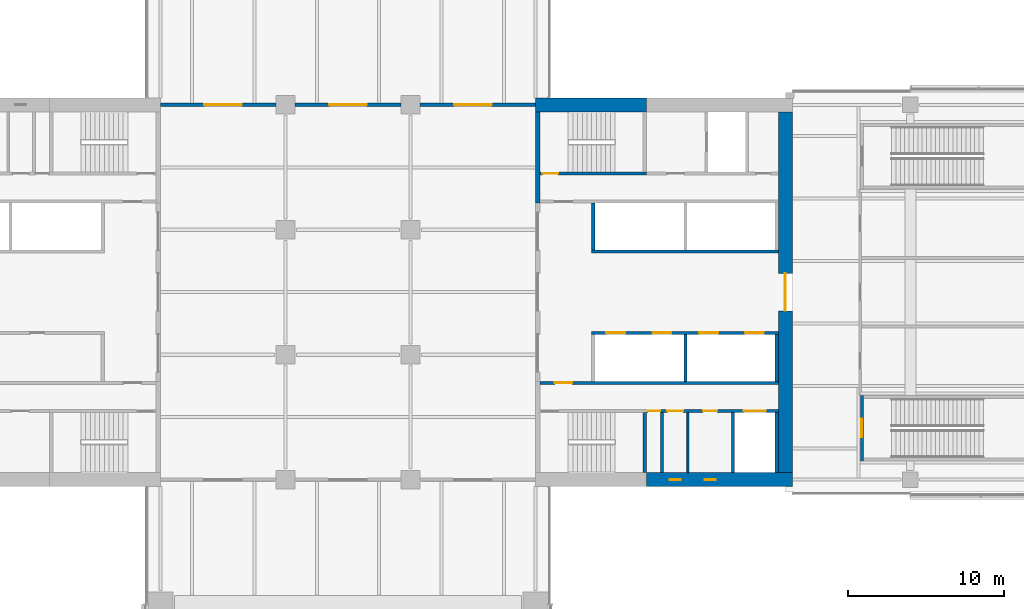
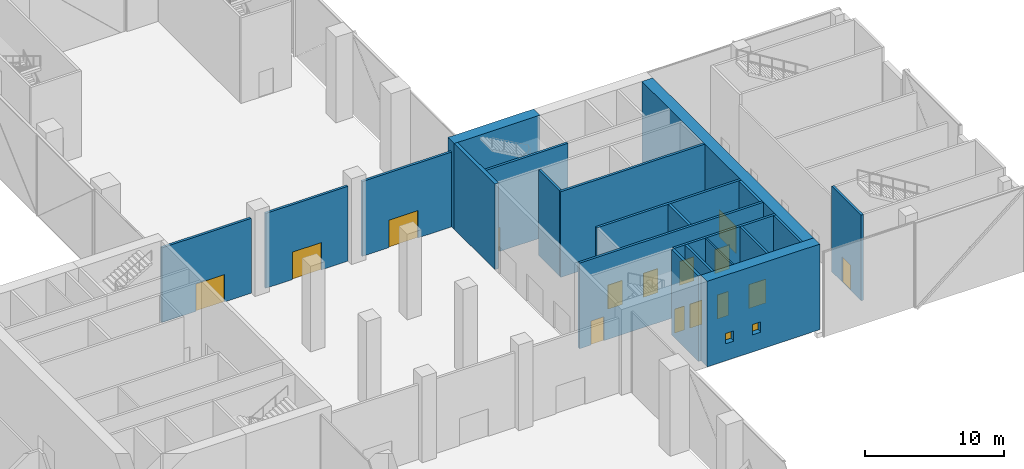
# One storey, part 16 of 25: 21 walls, 15 doors, 2 windows, 17 openings.
"""IFC4 building model written with IfcOpenShell, lengths in metres."""

from ifc_helpers import new_model, si_unit, direction, frame, frame_2d, origin, place, context, subcontext, project, spatial, rectangle, extrude, material, layer, layer_set, constituent, constituent_set, type_object, element, fill, save


model = new_model("IFC4")

# Units and contexts
model_context = context("Model", 3, precision=1e-05, world=origin(), true_north=direction((0.0, 1.0)))
body_context = subcontext(model_context, "Body", "Model", "MODEL_VIEW")
ifc_project = project(units=[si_unit("LENGTHUNIT", "METRE"), si_unit("AREAUNIT", "SQUARE_METRE"), si_unit("VOLUMEUNIT", "CUBIC_METRE"), si_unit("PLANEANGLEUNIT", "RADIAN"), si_unit("MASSUNIT", "GRAM", prefix="KILO")], contexts=[model_context])

# Site, building, storey
site_placement = place(None, origin())
site = spatial("IfcSite", under=ifc_project, at=site_placement, CompositionType="ELEMENT")
building_placement = place(site_placement, origin())
building = spatial("IfcBuilding", under=site, at=building_placement, Name="Crosswind Convention Tower", CompositionType="ELEMENT")
storey_placement = place(building_placement, frame((0.0, 0.0, 10.0)))
storey = spatial("IfcBuildingStorey", under=building, at=storey_placement, Name="L01", CompositionType="ELEMENT", Elevation=10.0)

# Wall
ifc_material_1 = material(Name="Concrete blockwork", Category="masonry")
ifc_layer_1 = layer(ifc_material_1, 0.199951171875)
ifc_layer_set_1 = layer_set([ifc_layer_1], Name="Blockwork partition wall 200")
wall_type_1 = type_object("IfcWallType", Name="Blockwork partition wall 200", PredefinedType="PARTITIONING", material=ifc_layer_set_1)
wall_1_placement = place(storey_placement, frame((145.10009765625, 88.449951171875, 0.0), z_axis=(0.0, 0.0, 1.0), x_axis=(0.0, 1.0, 0.0)))
element("IfcWall", 1, at=wall_1_placement, inside=storey, type_object=wall_type_1, Name="Wall MRSE E L01", PredefinedType="PARTITIONING", context=body_context, shape_type="SweptSolid", body=[
    extrude(rectangle(XDim=3.85009765625, YDim=0.199951171875, at=frame_2d((1.925048828125, 0.0))), origin(), (0.0, 0.0, 1.0), 7.5),
])

# Wall, opening, door
ifc_material_2 = material(Name="Concrete C60/75", Category="concrete")
ifc_layer_2 = layer(ifc_material_2, 0.89990234375)
ifc_layer_set_2 = layer_set([ifc_layer_2], Name="Concrete C60/75")
wall_type_2 = type_object("IfcWallType", Name="Concrete core wall 900", PredefinedType="SHEAR", material=ifc_layer_set_2)
wall_2_placement = place(storey_placement, frame((153.0, 88.449951171875, 0.0), z_axis=(0.0, 0.0, 1.0), x_axis=(0.0, 1.0, 0.0)))
wall_2 = element("IfcWall", 2, at=wall_2_placement, inside=storey, type_object=wall_type_2, Name="Wall O E L01", PredefinedType="SHEAR", context=body_context, shape_type="SweptSolid", body=[
    extrude(rectangle(XDim=23.10009765625, YDim=0.89990234375, at=frame_2d((11.550048828125, 0.0))), origin(), (0.0, 0.0, 1.0), 7.5),
])
opening_1_placement = place(wall_2_placement, frame((10.35009765625, 0.0, 0.0)))
opening_1 = element("IfcOpeningElement", 3, at=opening_1_placement, cuts=wall_2, Name="Opening D100", PredefinedType="OPENING", context=body_context, shape_type="SweptSolid", body=[
    extrude(rectangle(XDim=2.39990234375, YDim=2.39990234375, at=frame_2d((1.199951171875, 1.199951171875))), frame((0.0, 0.4599609375, 0.0), z_axis=(0.0, -1.0, 0.0), x_axis=(1.0, 0.0, 0.0)), (0.0, 0.0, 1.0), 0.919921875),
])
ifc_material_3 = material(Name="Steel fire door with glazed vision panels", Category="steel")
door_type_1 = type_object("IfcDoorType", Name="Fire-rated double door 2400x2400", OperationType="DOUBLE_DOOR_SINGLE_SWING", PredefinedType="DOOR", material=ifc_material_3)
door_1_placement = place(opening_1_placement, frame((2.39990234375, 0.0, 0.0), z_axis=(0.0, 0.0, 1.0), x_axis=(-1.0, 0.0, 0.0)))
door_1 = element("IfcDoor", 4, at=door_1_placement, inside=storey, type_object=door_type_1, Name="Lobby outer door L01", ObjectType="D100", OperationType="DOUBLE_DOOR_SINGLE_SWING", OverallHeight=2.39990234375, OverallWidth=2.39990234375, PredefinedType="DOOR", context=body_context, shape_type="SweptSolid", body=[
    extrude(rectangle(XDim=2.39990234375, YDim=2.39990234375, at=frame_2d((1.199951171875, 1.199951171875))), frame((0.0, 0.02490234375, 0.0), z_axis=(0.0, -1.0, 0.0), x_axis=(1.0, 0.0, 0.0)), (0.0, 0.0, 1.0), 0.050048828125),
])
fill(opening_1, door_1)

# Walls
ifc_material_4 = material(Name="Concrete C50/60", Category="concrete")
ifc_layer_3 = layer(ifc_material_4, 0.300048828125)
ifc_layer_set_3 = layer_set([ifc_layer_3], Name="Concrete C50/60")
wall_type_3 = type_object("IfcWallType", Name="Concrete inner core wall 300", PredefinedType="SHEAR", material=ifc_layer_set_3)
wall_3_placement = place(storey_placement, frame((137.14990234375, 105.699951171875, 0.0), z_axis=(0.0, 0.0, 1.0), x_axis=(0.0, 1.0, 0.0)))
element("IfcWall", 5, at=wall_3_placement, inside=storey, type_object=wall_type_3, Name="Wall EP E L01", PredefinedType="SHEAR", context=body_context, shape_type="SweptSolid", body=[
    extrude(rectangle(XDim=5.85009765625, YDim=0.300048828125, at=frame_2d((2.925048828125, 0.0))), origin(), (0.0, 0.0, 1.0), 7.5),
])
ifc_layer_4 = layer(ifc_material_4, 0.199951171875)
ifc_layer_set_4 = layer_set([ifc_layer_4], Name="Concrete C50/60")
wall_type_4 = type_object("IfcWallType", Name="Concrete shaft and stair wall 200", PredefinedType="SHEAR", material=ifc_layer_set_4)
wall_4_placement = place(storey_placement, frame((140.699951171875, 102.699951171875, 0.0), z_axis=(0.0, 0.0, 1.0), x_axis=(0.0, 1.0, 0.0)))
element("IfcWall", 6, at=wall_4_placement, inside=storey, type_object=wall_type_4, Name="Wall RPEND E L01", PredefinedType="SHEAR", context=body_context, shape_type="SweptSolid", body=[
    extrude(rectangle(XDim=3.0, YDim=0.199951171875, at=frame_2d((1.5, 0.0))), origin(), (0.0, 0.0, 1.0), 7.5),
])
wall_5_placement = place(storey_placement, frame((140.60009765625, 102.60009765625, 0.0), z_axis=(0.0, 0.0, 1.0), x_axis=(1.0, 0.0, 0.0)))
element("IfcWall", 7, at=wall_5_placement, inside=storey, type_object=wall_type_4, Name="Wall RPFRONT E L01", PredefinedType="SHEAR", context=body_context, shape_type="SweptSolid", body=[
    extrude(rectangle(XDim=11.949951171875, YDim=0.199951171875, at=frame_2d((5.97509765625, 0.0))), origin(), (0.0, 0.0, 1.0), 7.5),
])
for number, where, z_axis, x_axis, name in (
    (8, (146.60009765625, 94.300048828125, 0.0), (0.0, 0.0, 1.0), (0.0, 1.0, 0.0), "Wall RMSEP E L01"),
    (9, (152.449951171875, 94.300048828125, 0.0), (0.0, 0.0, 1.0), (0.0, 1.0, 0.0), "Wall RMEAST E L01"),
):
    element("IfcWall", number, at=place(storey_placement, frame(where, z_axis=z_axis, x_axis=x_axis)), inside=storey, type_object=wall_type_4, Name=name, PredefinedType="SHEAR", context=body_context, shape_type="SweptSolid", body=[
        extrude(rectangle(XDim=3.0, YDim=0.199951171875, at=frame_2d((1.5, 0.0))), origin(), (0.0, 0.0, 1.0), 7.5),
    ])

# Wall, openings, doors
wall_6_placement = place(storey_placement, frame((140.60009765625, 97.39990234375, 0.0), z_axis=(0.0, 0.0, 1.0), x_axis=(1.0, 0.0, 0.0)))
wall_6 = element("IfcWall", 10, at=wall_6_placement, inside=storey, type_object=wall_type_4, Name="Wall RMFRONT E L01", PredefinedType="SHEAR", context=body_context, shape_type="SweptSolid", body=[
    extrude(rectangle(XDim=11.949951171875, YDim=0.199951171875, at=frame_2d((5.97509765625, 0.0))), origin(), (0.0, 0.0, 1.0), 7.5),
])
opening_2_placement = place(wall_6_placement, frame((0.949951171875, 0.0, 0.0)))
opening_2 = element("IfcOpeningElement", 11, at=opening_2_placement, cuts=wall_6, Name="Opening LD1", PredefinedType="OPENING", context=body_context, shape_type="SweptSolid", body=[
    extrude(rectangle(XDim=1.199951171875, YDim=2.10009765625, at=frame_2d((0.60009765625, 1.050048828125))), frame((0.0, 0.10986328125, 0.0), z_axis=(0.0, -1.0, 0.0), x_axis=(1.0, 0.0, 0.0)), (0.0, 0.0, 1.0), 0.219970703125),
])
opening_3_placement = place(wall_6_placement, frame((3.89990234375, 0.0, 0.0)))
opening_3 = element("IfcOpeningElement", 12, at=opening_3_placement, cuts=wall_6, Name="Opening LD1", PredefinedType="OPENING", context=body_context, shape_type="SweptSolid", body=[
    extrude(rectangle(XDim=1.199951171875, YDim=2.10009765625, at=frame_2d((0.60009765625, 1.050048828125))), frame((0.0, 0.10986328125, 0.0), z_axis=(0.0, -1.0, 0.0), x_axis=(1.0, 0.0, 0.0)), (0.0, 0.0, 1.0), 0.219970703125),
])
opening_4_placement = place(wall_6_placement, frame((6.89990234375, 0.0, 0.0)))
opening_4 = element("IfcOpeningElement", 13, at=opening_4_placement, cuts=wall_6, Name="Opening LD1", PredefinedType="OPENING", context=body_context, shape_type="SweptSolid", body=[
    extrude(rectangle(XDim=1.199951171875, YDim=2.10009765625, at=frame_2d((0.60009765625, 1.050048828125))), frame((0.0, 0.10986328125, 0.0), z_axis=(0.0, -1.0, 0.0), x_axis=(1.0, 0.0, 0.0)), (0.0, 0.0, 1.0), 0.219970703125),
])
opening_5_placement = place(wall_6_placement, frame((9.824951171875, 0.0, 0.0)))
opening_5 = element("IfcOpeningElement", 14, at=opening_5_placement, cuts=wall_6, Name="Opening LD1", PredefinedType="OPENING", context=body_context, shape_type="SweptSolid", body=[
    extrude(rectangle(XDim=1.199951171875, YDim=2.10009765625, at=frame_2d((0.60009765625, 1.050048828125))), frame((0.0, 0.10986328125, 0.0), z_axis=(0.0, -1.0, 0.0), x_axis=(1.0, 0.0, 0.0)), (0.0, 0.0, 1.0), 0.219970703125),
])
ifc_material_5 = material(Name="Stainless steel", Category="steel")
door_type_2 = type_object("IfcDoorType", Name="Lift landing door 1200x2100", OperationType="DOUBLE_DOOR_SLIDING", PredefinedType="DOOR", material=ifc_material_5)
door_2_placement = place(opening_2_placement, origin())
door_2 = element("IfcDoor", 15, at=door_2_placement, inside=storey, type_object=door_type_2, Name="Landing door H1 L01", ObjectType="LD1", OperationType="DOUBLE_DOOR_SLIDING", OverallHeight=2.10009765625, OverallWidth=1.199951171875, PredefinedType="DOOR", context=body_context, shape_type="SweptSolid", body=[
    extrude(rectangle(XDim=1.199951171875, YDim=2.10009765625, at=frame_2d((0.60009765625, 1.050048828125))), frame((0.0, 0.02490234375, 0.0), z_axis=(0.0, -1.0, 0.0), x_axis=(1.0, 0.0, 0.0)), (0.0, 0.0, 1.0), 0.050048828125),
])
fill(opening_2, door_2)
door_3_placement = place(opening_3_placement, origin())
door_3 = element("IfcDoor", 16, at=door_3_placement, inside=storey, type_object=door_type_2, Name="Landing door H2 L01", ObjectType="LD1", OperationType="DOUBLE_DOOR_SLIDING", OverallHeight=2.10009765625, OverallWidth=1.199951171875, PredefinedType="DOOR", context=body_context, shape_type="SweptSolid", body=[
    extrude(rectangle(XDim=1.199951171875, YDim=2.10009765625, at=frame_2d((0.60009765625, 1.050048828125))), frame((0.0, 0.02490234375, 0.0), z_axis=(0.0, -1.0, 0.0), x_axis=(1.0, 0.0, 0.0)), (0.0, 0.0, 1.0), 0.050048828125),
])
fill(opening_3, door_3)
door_4_placement = place(opening_4_placement, origin())
door_4 = element("IfcDoor", 17, at=door_4_placement, inside=storey, type_object=door_type_2, Name="Landing door H3 L01", ObjectType="LD1", OperationType="DOUBLE_DOOR_SLIDING", OverallHeight=2.10009765625, OverallWidth=1.199951171875, PredefinedType="DOOR", context=body_context, shape_type="SweptSolid", body=[
    extrude(rectangle(XDim=1.199951171875, YDim=2.10009765625, at=frame_2d((0.60009765625, 1.050048828125))), frame((0.0, 0.02490234375, 0.0), z_axis=(0.0, -1.0, 0.0), x_axis=(1.0, 0.0, 0.0)), (0.0, 0.0, 1.0), 0.050048828125),
])
fill(opening_4, door_4)
door_5_placement = place(opening_5_placement, origin())
door_5 = element("IfcDoor", 18, at=door_5_placement, inside=storey, type_object=door_type_2, Name="Landing door H4 L01", ObjectType="LD1", OperationType="DOUBLE_DOOR_SLIDING", OverallHeight=2.10009765625, OverallWidth=1.199951171875, PredefinedType="DOOR", context=body_context, shape_type="SweptSolid", body=[
    extrude(rectangle(XDim=1.199951171875, YDim=2.10009765625, at=frame_2d((0.60009765625, 1.050048828125))), frame((0.0, 0.02490234375, 0.0), z_axis=(0.0, -1.0, 0.0), x_axis=(1.0, 0.0, 0.0)), (0.0, 0.0, 1.0), 0.050048828125),
])
fill(opening_5, door_5)

# Wall, opening, door
wall_7_placement = place(storey_placement, frame((137.300048828125, 107.60009765625, 0.0), z_axis=(0.0, 0.0, 1.0), x_axis=(1.0, 0.0, 0.0)))
wall_7 = element("IfcWall", 19, at=wall_7_placement, inside=storey, type_object=wall_type_4, Name="Wall PCW E L01", PredefinedType="SHEAR", context=body_context, shape_type="SweptSolid", body=[
    extrude(rectangle(XDim=6.800048828125, YDim=0.199951171875, at=frame_2d((3.39990234375, 0.0))), origin(), (0.0, 0.0, 1.0), 7.5),
])
opening_6_placement = place(wall_7_placement, frame((0.14990234375, 0.0, 0.0)))
opening_6 = element("IfcOpeningElement", 20, at=opening_6_placement, cuts=wall_7, Name="Opening D103", PredefinedType="OPENING", context=body_context, shape_type="SweptSolid", body=[
    extrude(rectangle(XDim=1.0, YDim=2.10009765625, at=frame_2d((0.5, 1.050048828125))), frame((0.0, 0.10986328125, 0.0), z_axis=(0.0, -1.0, 0.0), x_axis=(1.0, 0.0, 0.0)), (0.0, 0.0, 1.0), 0.219970703125),
])
ifc_material_6 = material(Name="Steel fire door", Category="steel")
door_type_3 = type_object("IfcDoorType", Name="Fire-rated single door 1000x2100", OperationType="NOTDEFINED", PredefinedType="DOOR", material=ifc_material_6)
door_6_placement = place(opening_6_placement, origin())
door_6 = element("IfcDoor", 21, at=door_6_placement, inside=storey, type_object=door_type_3, Name="Stair ST1 door L01", ObjectType="D103", OperationType="SINGLE_SWING_LEFT", OverallHeight=2.10009765625, OverallWidth=1.0, PredefinedType="DOOR", context=body_context, shape_type="SweptSolid", body=[
    extrude(rectangle(XDim=1.0, YDim=2.10009765625, at=frame_2d((0.5, 1.050048828125))), frame((0.0, 0.02490234375, 0.0), z_axis=(0.0, -1.0, 0.0), x_axis=(1.0, 0.0, 0.0)), (0.0, 0.0, 1.0), 0.050048828125),
])
fill(opening_6, door_6)

wall_8_placement = place(storey_placement, frame((137.300048828125, 94.199951171875, 0.0), z_axis=(0.0, 0.0, 1.0), x_axis=(1.0, 0.0, 0.0)))
wall_8 = element("IfcWall", 22, at=wall_8_placement, inside=storey, type_object=wall_type_4, Name="Wall HM E L01", PredefinedType="SHEAR", context=body_context, shape_type="SweptSolid", body=[
    extrude(rectangle(XDim=15.25, YDim=0.199951171875, at=frame_2d((7.625, 0.0))), origin(), (0.0, 0.0, 1.0), 7.5),
])
opening_7_placement = place(wall_8_placement, frame((0.949951171875, 0.0, 0.0)))
opening_7 = element("IfcOpeningElement", 23, at=opening_7_placement, cuts=wall_8, Name="Opening D104", PredefinedType="OPENING", context=body_context, shape_type="SweptSolid", body=[
    extrude(rectangle(XDim=1.10009765625, YDim=2.10009765625, at=frame_2d((0.550048828125, 1.050048828125))), frame((0.0, 0.10986328125, 0.0), z_axis=(0.0, -1.0, 0.0), x_axis=(1.0, 0.0, 0.0)), (0.0, 0.0, 1.0), 0.219970703125),
])
door_type_4 = type_object("IfcDoorType", Name="Fire-rated single door 1100x2100", OperationType="NOTDEFINED", PredefinedType="DOOR", material=ifc_material_6)
door_7_placement = place(opening_7_placement, frame((1.10009765625, 0.0, 0.0), z_axis=(0.0, 0.0, 1.0), x_axis=(-1.0, 0.0, 0.0)))
door_7 = element("IfcDoor", 24, at=door_7_placement, inside=storey, type_object=door_type_4, Name="Corridor door L01", ObjectType="D104", OperationType="SINGLE_SWING_RIGHT", OverallHeight=2.10009765625, OverallWidth=1.10009765625, PredefinedType="DOOR", context=body_context, shape_type="SweptSolid", body=[
    extrude(rectangle(XDim=1.10009765625, YDim=2.10009765625, at=frame_2d((0.550048828125, 1.050048828125))), frame((0.0, 0.02490234375, 0.0), z_axis=(0.0, -1.0, 0.0), x_axis=(1.0, 0.0, 0.0)), (0.0, 0.0, 1.0), 0.050048828125),
])
fill(opening_7, door_7)

# Walls
for number, where, z_axis, x_axis, name in (
    (25, (144.0, 88.449951171875, 0.0), (0.0, 0.0, 1.0), (0.0, 1.0, 0.0), "Wall MSE E L01"),
    (26, (149.64990234375, 88.449951171875, 0.0), (0.0, 0.0, 1.0), (0.0, 1.0, 0.0), "Wall MFSW E L01"),
    (27, (152.449951171875, 88.449951171875, 0.0), (0.0, 0.0, 1.0), (0.0, 1.0, 0.0), "Wall MFSE E L01"),
):
    element("IfcWall", number, at=place(storey_placement, frame(where, z_axis=z_axis, x_axis=x_axis)), inside=storey, type_object=wall_type_4, Name=name, PredefinedType="SHEAR", context=body_context, shape_type="SweptSolid", body=[
        extrude(rectangle(XDim=3.85009765625, YDim=0.199951171875, at=frame_2d((1.925048828125, 0.0))), origin(), (0.0, 0.0, 1.0), 7.5),
    ])

# Wall, openings, doors
wall_9_placement = place(storey_placement, frame((144.10009765625, 92.39990234375, 0.0), z_axis=(0.0, 0.0, 1.0), x_axis=(1.0, 0.0, 0.0)))
wall_9 = element("IfcWall", 28, at=wall_9_placement, inside=storey, type_object=wall_type_4, Name="Wall MCX E L01", PredefinedType="SHEAR", context=body_context, shape_type="SweptSolid", body=[
    extrude(rectangle(XDim=8.449951171875, YDim=0.199951171875, at=frame_2d((4.22509765625, 0.0))), origin(), (0.0, 0.0, 1.0), 7.5),
])
opening_8_placement = place(wall_9_placement, frame((0.10009765625, 0.0, 0.0)))
opening_8 = element("IfcOpeningElement", 29, at=opening_8_placement, cuts=wall_9, Name="Opening D105", PredefinedType="OPENING", context=body_context, shape_type="SweptSolid", body=[
    extrude(rectangle(XDim=0.800048828125, YDim=2.10009765625, at=frame_2d((0.39990234375, 1.050048828125))), frame((0.0, 0.10986328125, 0.0), z_axis=(0.0, -1.0, 0.0), x_axis=(1.0, 0.0, 0.0)), (0.0, 0.0, 1.0), 0.219970703125),
])
opening_9_placement = place(wall_9_placement, frame((1.351806640625, 0.0, 0.0)))
opening_9 = element("IfcOpeningElement", 30, at=opening_9_placement, cuts=wall_9, Name="Opening D103", PredefinedType="OPENING", context=body_context, shape_type="SweptSolid", body=[
    extrude(rectangle(XDim=1.0, YDim=2.10009765625, at=frame_2d((0.5, 1.050048828125))), frame((0.0, 0.10986328125, 0.0), z_axis=(0.0, -1.0, 0.0), x_axis=(1.0, 0.0, 0.0)), (0.0, 0.0, 1.0), 0.219970703125),
])
opening_10_placement = place(wall_9_placement, frame((3.63916015625, 0.0, 0.0)))
opening_10 = element("IfcOpeningElement", 31, at=opening_10_placement, cuts=wall_9, Name="Opening D106", PredefinedType="OPENING", context=body_context, shape_type="SweptSolid", body=[
    extrude(rectangle(XDim=0.89990234375, YDim=2.10009765625, at=frame_2d((0.449951171875, 1.050048828125))), frame((0.0, 0.10986328125, 0.0), z_axis=(0.0, -1.0, 0.0), x_axis=(1.0, 0.0, 0.0)), (0.0, 0.0, 1.0), 0.219970703125),
])
opening_11_placement = place(wall_9_placement, frame((6.25, 0.0, 0.0)))
opening_11 = element("IfcOpeningElement", 32, at=opening_11_placement, cuts=wall_9, Name="Opening LD2", PredefinedType="OPENING", context=body_context, shape_type="SweptSolid", body=[
    extrude(rectangle(XDim=1.39990234375, YDim=2.10009765625, at=frame_2d((0.699951171875, 1.050048828125))), frame((0.0, 0.10986328125, 0.0), z_axis=(0.0, -1.0, 0.0), x_axis=(1.0, 0.0, 0.0)), (0.0, 0.0, 1.0), 0.219970703125),
])
door_8_placement = place(opening_9_placement, frame((1.0, 0.0, 0.0), z_axis=(0.0, 0.0, 1.0), x_axis=(-1.0, 0.0, 0.0)))
door_8 = element("IfcDoor", 33, at=door_8_placement, inside=storey, type_object=door_type_3, Name="Door to accessible wc L01", ObjectType="D103", OperationType="SINGLE_SWING_LEFT", OverallHeight=2.10009765625, OverallWidth=1.0, PredefinedType="DOOR", context=body_context, shape_type="SweptSolid", body=[
    extrude(rectangle(XDim=1.0, YDim=2.10009765625, at=frame_2d((0.5, 1.050048828125))), frame((0.0, 0.02490234375, 0.0), z_axis=(0.0, -1.0, 0.0), x_axis=(1.0, 0.0, 0.0)), (0.0, 0.0, 1.0), 0.050048828125),
])
fill(opening_9, door_8)
door_type_5 = type_object("IfcDoorType", Name="Lift landing door 1400x2100", OperationType="DOUBLE_DOOR_SLIDING", PredefinedType="DOOR", material=ifc_material_5)
door_9_placement = place(opening_11_placement, origin())
door_9 = element("IfcDoor", 34, at=door_9_placement, inside=storey, type_object=door_type_5, Name="Landing door SV1 L01", ObjectType="LD2", OperationType="DOUBLE_DOOR_SLIDING", OverallHeight=2.10009765625, OverallWidth=1.39990234375, PredefinedType="DOOR", context=body_context, shape_type="SweptSolid", body=[
    extrude(rectangle(XDim=1.39990234375, YDim=2.10009765625, at=frame_2d((0.699951171875, 1.050048828125))), frame((0.0, 0.02490234375, 0.0), z_axis=(0.0, -1.0, 0.0), x_axis=(1.0, 0.0, 0.0)), (0.0, 0.0, 1.0), 0.050048828125),
])
fill(opening_11, door_9)
door_type_6 = type_object("IfcDoorType", Name="Riser access door 800x2100", OperationType="NOTDEFINED", PredefinedType="DOOR", material=ifc_material_6)
door_10_placement = place(opening_8_placement, frame((0.800048828125, 0.0, 0.0), z_axis=(0.0, 0.0, 1.0), x_axis=(-1.0, 0.0, 0.0)))
door_10 = element("IfcDoor", 35, at=door_10_placement, inside=storey, type_object=door_type_6, Name="Riser door L01", ObjectType="D105", OperationType="SINGLE_SWING_LEFT", OverallHeight=2.10009765625, OverallWidth=0.800048828125, PredefinedType="DOOR", context=body_context, shape_type="SweptSolid", body=[
    extrude(rectangle(XDim=0.800048828125, YDim=2.10009765625, at=frame_2d((0.39990234375, 1.050048828125))), frame((0.0, 0.02490234375, 0.0), z_axis=(0.0, -1.0, 0.0), x_axis=(1.0, 0.0, 0.0)), (0.0, 0.0, 1.0), 0.050048828125),
])
fill(opening_8, door_10)
ifc_material_7 = material(Name="Timber door", Category="wood")
door_type_7 = type_object("IfcDoorType", Name="Single leaf door 900x2100", OperationType="NOTDEFINED", PredefinedType="DOOR", material=ifc_material_7)
door_11_placement = place(opening_10_placement, frame((0.89990234375, 0.0, 0.0), z_axis=(0.0, 0.0, 1.0), x_axis=(-1.0, 0.0, 0.0)))
door_11 = element("IfcDoor", 36, at=door_11_placement, inside=storey, type_object=door_type_7, Name="Door to wc L01", ObjectType="D106", OperationType="SINGLE_SWING_LEFT", OverallHeight=2.10009765625, OverallWidth=0.89990234375, PredefinedType="DOOR", context=body_context, shape_type="SweptSolid", body=[
    extrude(rectangle(XDim=0.89990234375, YDim=2.10009765625, at=frame_2d((0.449951171875, 1.050048828125))), frame((0.0, 0.02490234375, 0.0), z_axis=(0.0, -1.0, 0.0), x_axis=(1.0, 0.0, 0.0)), (0.0, 0.0, 1.0), 0.050048828125),
])
fill(opening_10, door_11)

# Wall
ifc_material_8 = material(Name="Gypsum plasterboard partition", Category="gypsum")
ifc_layer_5 = layer(ifc_material_8, 0.125)
ifc_layer_set_5 = layer_set([ifc_layer_5], Name="Drywall partition wall 125")
wall_type_5 = type_object("IfcWallType", Name="Drywall partition wall 125", PredefinedType="PARTITIONING", material=ifc_layer_set_5)
wall_10_placement = place(storey_placement, frame((146.76611328125, 88.449951171875, 0.0), z_axis=(0.0, 0.0, 1.0), x_axis=(0.0, 1.0, 0.0)))
element("IfcWall", 37, at=wall_10_placement, inside=storey, type_object=wall_type_5, Name="Wall MWP1 E L01", PredefinedType="PARTITIONING", context=body_context, shape_type="SweptSolid", body=[
    extrude(rectangle(XDim=3.85009765625, YDim=0.125, at=frame_2d((1.925048828125, 0.0))), origin(), (0.0, 0.0, 1.0), 7.5),
])

# Wall, opening, door
ifc_material_9 = material(Name="Double plasterboard partition", Category="gypsum")
ifc_layer_6 = layer(ifc_material_9, 0.199951171875)
ifc_layer_set_6 = layer_set([ifc_layer_6], Name="HALL WALL 200")
wall_type_6 = type_object("IfcWallType", Name="HALL WALL 200", PredefinedType="PARTITIONING", material=ifc_layer_set_6)
wall_11_placement = place(storey_placement, frame((113.0, 112.0, 0.0), z_axis=(0.0, 0.0, 1.0), x_axis=(1.0, 0.0, 0.0)))
wall_11 = element("IfcWall", 38, at=wall_11_placement, inside=storey, type_object=wall_type_6, Name="Hall Wall 20", PredefinedType="PARTITIONING", context=body_context, shape_type="SweptSolid", body=[
    extrude(rectangle(XDim=7.39990234375, YDim=0.199951171875, at=frame_2d((3.699951171875, 0.0))), origin(), (0.0, 0.0, 1.0), 6.551025390625),
])
opening_12_placement = place(wall_11_placement, frame((2.800048828125, 0.0, 0.0)))
opening_12 = element("IfcOpeningElement", 39, at=opening_12_placement, cuts=wall_11, Name="Opening 01.001", PredefinedType="OPENING", context=body_context, shape_type="SweptSolid", body=[
    extrude(rectangle(XDim=2.39990234375, YDim=2.39990234375, at=frame_2d((1.199951171875, 1.199951171875))), frame((0.0, 0.10986328125, 0.0), z_axis=(0.0, -1.0, 0.0), x_axis=(1.0, 0.0, 0.0)), (0.0, 0.0, 1.0), 0.219970703125),
])
ifc_material_10 = material(Name="Timber fire door", Category="wood")
door_type_8 = type_object("IfcDoorType", Name="BALLROOM DOUBLE DOOR 2400X2400", OperationType="DOUBLE_DOOR_SINGLE_SWING", PredefinedType="DOOR", material=ifc_material_10)
door_12_placement = place(opening_12_placement, frame((2.39990234375, 0.0, 0.0), z_axis=(0.0, 0.0, 1.0), x_axis=(-1.0, 0.0, 0.0)))
door_12 = element("IfcDoor", 40, at=door_12_placement, inside=storey, type_object=door_type_8, Name="Door 01.001", ObjectType="D8", OperationType="DOUBLE_DOOR_SINGLE_SWING", OverallHeight=2.39990234375, OverallWidth=2.39990234375, PredefinedType="DOOR", context=body_context, shape_type="SweptSolid", body=[
    extrude(rectangle(XDim=2.39990234375, YDim=2.39990234375, at=frame_2d((1.199951171875, 1.199951171875))), frame((0.0, 0.02490234375, 0.0), z_axis=(0.0, -1.0, 0.0), x_axis=(1.0, 0.0, 0.0)), (0.0, 0.0, 1.0), 0.050048828125),
])
fill(opening_12, door_12)

wall_12_placement = place(storey_placement, frame((121.60009765625, 112.0, 0.0), z_axis=(0.0, 0.0, 1.0), x_axis=(1.0, 0.0, 0.0)))
wall_12 = element("IfcWall", 41, at=wall_12_placement, inside=storey, type_object=wall_type_6, Name="Hall Wall 21", PredefinedType="PARTITIONING", context=body_context, shape_type="SweptSolid", body=[
    extrude(rectangle(XDim=6.7998046875, YDim=0.199951171875, at=frame_2d((3.39990234375, 0.0))), origin(), (0.0, 0.0, 1.0), 6.555419921875),
])
opening_13_placement = place(wall_12_placement, frame((2.199951171875, 0.0, 0.0)))
opening_13 = element("IfcOpeningElement", 42, at=opening_13_placement, cuts=wall_12, Name="Opening 01.003", PredefinedType="OPENING", context=body_context, shape_type="SweptSolid", body=[
    extrude(rectangle(XDim=2.39990234375, YDim=2.39990234375, at=frame_2d((1.199951171875, 1.199951171875))), frame((0.0, 0.10986328125, 0.0), z_axis=(0.0, -1.0, 0.0), x_axis=(1.0, 0.0, 0.0)), (0.0, 0.0, 1.0), 0.219970703125),
])
door_13_placement = place(opening_13_placement, frame((2.39990234375, 0.0, 0.0), z_axis=(0.0, 0.0, 1.0), x_axis=(-1.0, 0.0, 0.0)))
door_13 = element("IfcDoor", 43, at=door_13_placement, inside=storey, type_object=door_type_8, Name="Door 01.003", ObjectType="D8", OperationType="DOUBLE_DOOR_SINGLE_SWING", OverallHeight=2.39990234375, OverallWidth=2.39990234375, PredefinedType="DOOR", context=body_context, shape_type="SweptSolid", body=[
    extrude(rectangle(XDim=2.39990234375, YDim=2.39990234375, at=frame_2d((1.199951171875, 1.199951171875))), frame((0.0, 0.02490234375, 0.0), z_axis=(0.0, -1.0, 0.0), x_axis=(1.0, 0.0, 0.0)), (0.0, 0.0, 1.0), 0.050048828125),
])
fill(opening_13, door_13)

wall_13_placement = place(storey_placement, frame((129.60009765625, 112.0, 0.0), z_axis=(0.0, 0.0, 1.0), x_axis=(1.0, 0.0, 0.0)))
wall_13 = element("IfcWall", 44, at=wall_13_placement, inside=storey, type_object=wall_type_6, Name="Hall Wall 22", PredefinedType="PARTITIONING", context=body_context, shape_type="SweptSolid", body=[
    extrude(rectangle(XDim=7.39990234375, YDim=0.199951171875, at=frame_2d((3.699951171875, 0.0))), origin(), (0.0, 0.0, 1.0), 6.551025390625),
])
opening_14_placement = place(wall_13_placement, frame((2.199951171875, 0.0, 0.0)))
opening_14 = element("IfcOpeningElement", 45, at=opening_14_placement, cuts=wall_13, Name="Opening 01.005", PredefinedType="OPENING", context=body_context, shape_type="SweptSolid", body=[
    extrude(rectangle(XDim=2.39990234375, YDim=2.39990234375, at=frame_2d((1.199951171875, 1.199951171875))), frame((0.0, 0.10986328125, 0.0), z_axis=(0.0, -1.0, 0.0), x_axis=(1.0, 0.0, 0.0)), (0.0, 0.0, 1.0), 0.219970703125),
])
door_14_placement = place(opening_14_placement, frame((2.39990234375, 0.0, 0.0), z_axis=(0.0, 0.0, 1.0), x_axis=(-1.0, 0.0, 0.0)))
door_14 = element("IfcDoor", 46, at=door_14_placement, inside=storey, type_object=door_type_8, Name="Door 01.005", ObjectType="D8", OperationType="DOUBLE_DOOR_SINGLE_SWING", OverallHeight=2.39990234375, OverallWidth=2.39990234375, PredefinedType="DOOR", context=body_context, shape_type="SweptSolid", body=[
    extrude(rectangle(XDim=2.39990234375, YDim=2.39990234375, at=frame_2d((1.199951171875, 1.199951171875))), frame((0.0, 0.02490234375, 0.0), z_axis=(0.0, -1.0, 0.0), x_axis=(1.0, 0.0, 0.0)), (0.0, 0.0, 1.0), 0.050048828125),
])
fill(opening_14, door_14)

ifc_material_11 = material(Name="Concrete C40/50", Category="concrete")
ifc_layer_7 = layer(ifc_material_11, 0.199951171875)
ifc_layer_set_7 = layer_set([ifc_layer_7], Name="Concrete C40/50")
wall_type_7 = type_object("IfcWallType", Name="STAIR ENCLOSURE WALL 200", PredefinedType="SOLIDWALL", material=ifc_layer_set_7)
wall_14_placement = place(storey_placement, frame((157.89990234375, 89.199951171875, 0.0), z_axis=(0.0, 0.0, 1.0), x_axis=(0.0, 1.0, 0.0)))
wall_14 = element("IfcWall", 47, at=wall_14_placement, inside=storey, type_object=wall_type_7, Name="Stair Enclosure Wall 42", PredefinedType="SOLIDWALL", context=body_context, shape_type="SweptSolid", body=[
    extrude(rectangle(XDim=4.199951171875, YDim=0.199951171875, at=frame_2d((2.10009765625, 0.0))), origin(), (0.0, 0.0, 1.0), 7.5),
])
opening_15_placement = place(wall_14_placement, frame((1.5, 0.0, 0.0)))
opening_15 = element("IfcOpeningElement", 48, at=opening_15_placement, cuts=wall_14, Name="Opening 01.013", PredefinedType="OPENING", context=body_context, shape_type="SweptSolid", body=[
    extrude(rectangle(XDim=1.199951171875, YDim=2.199951171875, at=frame_2d((0.60009765625, 1.10009765625))), frame((0.0, 0.10986328125, 0.0), z_axis=(0.0, -1.0, 0.0), x_axis=(1.0, 0.0, 0.0)), (0.0, 0.0, 1.0), 0.219970703125),
])
door_type_9 = type_object("IfcDoorType", Name="STAIR DOOR 1200X2200", OperationType="NOTDEFINED", PredefinedType="DOOR", material=ifc_material_6)
door_15_placement = place(opening_15_placement, frame((1.199951171875, 0.0, 0.0), z_axis=(0.0, 0.0, 1.0), x_axis=(-1.0, 0.0, 0.0)))
door_15 = element("IfcDoor", 49, at=door_15_placement, inside=storey, type_object=door_type_9, Name="Door 01.013", ObjectType="D4", OperationType="SINGLE_SWING_LEFT", OverallHeight=2.199951171875, OverallWidth=1.199951171875, PredefinedType="DOOR", context=body_context, shape_type="SweptSolid", body=[
    extrude(rectangle(XDim=1.199951171875, YDim=2.199951171875, at=frame_2d((0.60009765625, 1.10009765625))), frame((0.0, 0.02490234375, 0.0), z_axis=(0.0, -1.0, 0.0), x_axis=(1.0, 0.0, 0.0)), (0.0, 0.0, 1.0), 0.050048828125),
])
fill(opening_15, door_15)

# Wall
ifc_constituent_1 = constituent(ifc_material_2, Name="Structure")
ifc_material_12 = material(Name="Terracotta rainscreen", Category="ceramic")
ifc_constituent_2 = constituent(ifc_material_12, Name="Facing")
ifc_constituent_set = constituent_set(constituents=[ifc_constituent_1, ifc_constituent_2], Name="Concrete C60/75, Terracotta rainscreen")
wall_type_8 = type_object("IfcWallType", Name="Terracotta rainscreen on concrete core wall 900", PredefinedType="SHEAR", material=ifc_constituent_set)
wall_15_placement = place(storey_placement, frame((137.0, 112.0, 0.0), z_axis=(0.0, 0.0, 1.0), x_axis=(1.0, 0.0, 0.0)))
element("IfcWall", 50, at=wall_15_placement, inside=storey, type_object=wall_type_8, Name="Wall N1 E L01", PredefinedType="SHEAR", context=body_context, shape_type="SweptSolid", body=[
    extrude(rectangle(XDim=7.10009765625, YDim=0.89990234375, at=frame_2d((3.550048828125, 0.0))), origin(), (0.0, 0.0, 1.0), 7.5),
])

# Wall, openings, windows
wall_16_placement = place(storey_placement, frame((144.10009765625, 88.0, 0.0), z_axis=(0.0, 0.0, 1.0), x_axis=(1.0, 0.0, 0.0)))
wall_16 = element("IfcWall", 51, at=wall_16_placement, inside=storey, type_object=wall_type_8, Name="Wall S2 E L01", PredefinedType="SHEAR", context=body_context, shape_type="SweptSolid", body=[
    extrude(rectangle(XDim=9.349853515625, YDim=0.89990234375, at=frame_2d((4.6748046875, 0.0))), origin(), (0.0, 0.0, 1.0), 7.5),
])
opening_16_placement = place(wall_16_placement, frame((1.501708984375, 0.0, 1.5)))
opening_16 = element("IfcOpeningElement", 52, at=opening_16_placement, cuts=wall_16, Name="Opening W2", PredefinedType="OPENING", context=body_context, shape_type="SweptSolid", body=[
    extrude(rectangle(XDim=0.699951171875, YDim=0.89990234375, at=frame_2d((0.35009765625, 0.449951171875))), frame((0.0, 0.4599609375, 0.0), z_axis=(0.0, -1.0, 0.0), x_axis=(1.0, 0.0, 0.0)), (0.0, 0.0, 1.0), 0.919921875),
])
opening_17_placement = place(wall_16_placement, frame((3.7392578125, 0.0, 1.5)))
opening_17 = element("IfcOpeningElement", 53, at=opening_17_placement, cuts=wall_16, Name="Opening W2", PredefinedType="OPENING", context=body_context, shape_type="SweptSolid", body=[
    extrude(rectangle(XDim=0.699951171875, YDim=0.89990234375, at=frame_2d((0.35009765625, 0.449951171875))), frame((0.0, 0.4599609375, 0.0), z_axis=(0.0, -1.0, 0.0), x_axis=(1.0, 0.0, 0.0)), (0.0, 0.0, 1.0), 0.919921875),
])
ifc_material_13 = material(Name="Obscure glass in aluminium frame", Category="aluminium")
window_type = type_object("IfcWindowType", Name="WC window 700x900", PartitioningType="SINGLE_PANEL", PredefinedType="WINDOW", material=ifc_material_13)
window_1_placement = place(opening_16_placement, origin())
window_1 = element("IfcWindow", 54, at=window_1_placement, inside=storey, type_object=window_type, Name="WC window L01", ObjectType="W2", OverallHeight=0.89990234375, OverallWidth=0.699951171875, PartitioningType="SINGLE_PANEL", PredefinedType="WINDOW", context=body_context, shape_type="SweptSolid", body=[
    extrude(rectangle(XDim=0.699951171875, YDim=0.89990234375, at=frame_2d((0.35009765625, 0.449951171875))), frame((0.0, 0.030029296875, 0.0), z_axis=(0.0, -1.0, 0.0), x_axis=(1.0, 0.0, 0.0)), (0.0, 0.0, 1.0), 0.06005859375),
])
fill(opening_16, window_1)
window_2_placement = place(opening_17_placement, origin())
window_2 = element("IfcWindow", 55, at=window_2_placement, inside=storey, type_object=window_type, Name="WC window L01", ObjectType="W2", OverallHeight=0.89990234375, OverallWidth=0.699951171875, PartitioningType="SINGLE_PANEL", PredefinedType="WINDOW", context=body_context, shape_type="SweptSolid", body=[
    extrude(rectangle(XDim=0.699951171875, YDim=0.89990234375, at=frame_2d((0.35009765625, 0.449951171875))), frame((0.0, 0.030029296875, 0.0), z_axis=(0.0, -1.0, 0.0), x_axis=(1.0, 0.0, 0.0)), (0.0, 0.0, 1.0), 0.06005859375),
])
fill(opening_17, window_2)

save(model, "model.ifc")
